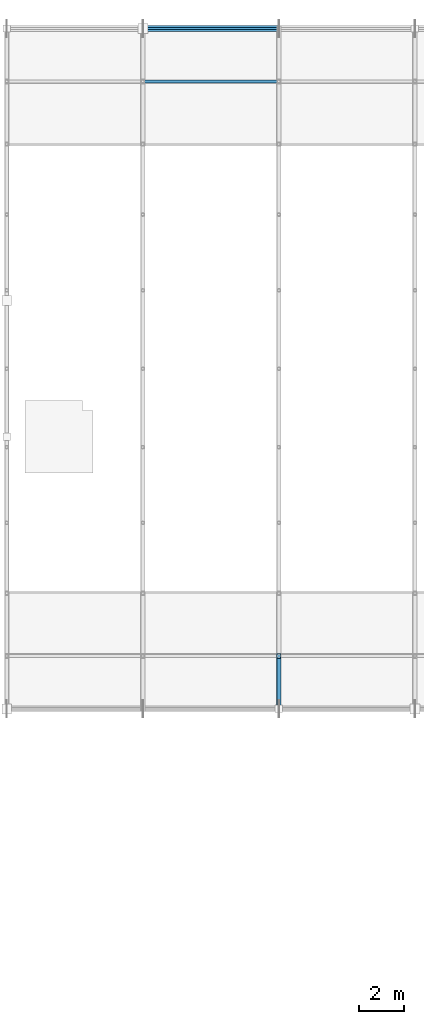
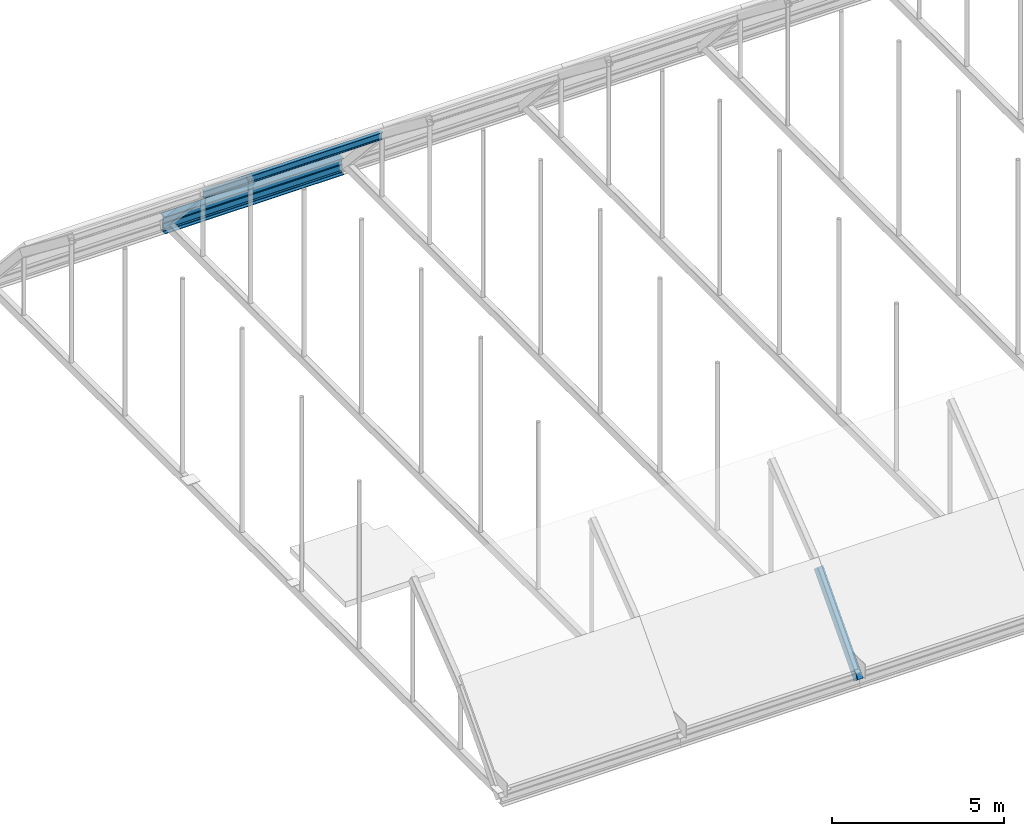
# One storey, part 23 of 63: 2 beams, 2 members.
"""IFC4 building model written with IfcOpenShell, lengths in metres."""

from ifc_helpers import new_model, si_unit, direction, frame, origin, origin_2d, place, context, subcontext, project, spatial, hollow_rectangle, i_section, extrude, material, material_profile, profile_set, type_object, element, save


model = new_model("IFC4")

# Units and contexts
model_context = context("Model", 3, precision=1e-05, world=origin(), true_north=direction((0.0, 1.0)))
body_context = subcontext(model_context, "Body", "Model", "MODEL_VIEW")
ifc_project = project(units=[si_unit("LENGTHUNIT", "METRE"), si_unit("AREAUNIT", "SQUARE_METRE"), si_unit("VOLUMEUNIT", "CUBIC_METRE"), si_unit("PLANEANGLEUNIT", "RADIAN"), si_unit("MASSUNIT", "GRAM", prefix="KILO")], contexts=[model_context])

# Site, building, storey
site_placement = place(None, origin())
site = spatial("IfcSite", under=ifc_project, at=site_placement, CompositionType="ELEMENT")
building_placement = place(site_placement, origin())
building = spatial("IfcBuilding", under=site, at=building_placement, Name="Varnakota Square Police Headquarters", CompositionType="ELEMENT")
storey_placement = place(building_placement, frame((0.0, 0.0, 22.199951171875)))
storey = spatial("IfcBuildingStorey", under=building, at=storey_placement, Name="L05", CompositionType="ELEMENT", Elevation=22.199951171875)

# Beams
ifc_material = material(Name="Steel IS 2062 Grade 350", Category="steel")
ifc_material_profile_1 = material_profile(ifc_material, i_section(OverallWidth=0.25, OverallDepth=0.60009765625, WebThickness=0.01171875, FlangeThickness=0.023681640625, FilletRadius=0.01708984375, at=origin_2d()), Name="ISWB 600")
ifc_profile_set_1 = profile_set([ifc_material_profile_1], Name="Steel IS 2062 Grade 350")
beam_type_1 = type_object("IfcBeamType", Name="BM-ISWB600", PredefinedType="BEAM", material=ifc_profile_set_1)
beam_1_placement = place(storey_placement, frame((66.0, 99.0, -0.300048828125), z_axis=(1.0, 0.0, 0.0), x_axis=(0.0, 1.0, 0.0)))
element("IfcBeam", 1, at=beam_1_placement, inside=storey, type_object=beam_type_1, Name="Vault V2 north ring beam", PredefinedType="BEAM", context=body_context, shape_type="SweptSolid", body=[
    extrude(i_section(OverallWidth=0.25, OverallDepth=0.60009765625, WebThickness=0.01171875, FlangeThickness=0.023681640625, FilletRadius=0.01708984375, at=origin_2d()), origin(), (0.0, 0.0, 1.0), 6.0),
])
ifc_material_profile_2 = material_profile(ifc_material, hollow_rectangle(XDim=0.199951171875, YDim=0.300048828125, WallThickness=0.011962890625, InnerFilletRadius=0.011962890625, OuterFilletRadius=0.02392578125, at=origin_2d()), Name="RHS 300x200x12")
ifc_profile_set_2 = profile_set([ifc_material_profile_2], Name="Steel IS 2062 Grade 350")
beam_type_2 = type_object("IfcBeamType", Name="BM-VR-RHS300", PredefinedType="BEAM", material=ifc_profile_set_2)
beam_2_placement = place(storey_placement, frame((72.0, 69.0, -0.366455078125), z_axis=(0.0, 0.671520631111, 0.740985858159), x_axis=(-1.0, 0.0, 0.0)))
element("IfcBeam", 2, at=beam_2_placement, inside=storey, type_object=beam_type_2, Name="Barrel vault arch rib chord VR-V2-R03-S01", PredefinedType="BEAM", context=body_context, shape_type="SweptSolid", body=[
    extrude(hollow_rectangle(XDim=0.199951171875, YDim=0.300048828125, WallThickness=0.011962890625, InnerFilletRadius=0.011962890625, OuterFilletRadius=0.02392578125, at=origin_2d()), origin(), (0.0, 0.0, 1.0), 3.472412109375),
])

# Members
ifc_material_profile_3 = material_profile(ifc_material, i_section(OverallWidth=0.125, OverallDepth=0.25, WebThickness=0.0068359375, FlangeThickness=0.012451171875, FilletRadius=0.012939453125, at=origin_2d()), Name="ISMB 250")
ifc_profile_set_3 = profile_set([ifc_material_profile_3], Name="Steel IS 2062 Grade 350")
member_type_1 = type_object("IfcMemberType", Name="MEM-PUR-ISMB250", PredefinedType="PURLIN", material=ifc_profile_set_3)
member_1_placement = place(storey_placement, frame((66.0, 96.668212890625, 2.156494140625), z_axis=(1.0, 0.0, 0.0), x_axis=(0.0, 1.0, 0.0)))
element("IfcMember", 3, at=member_1_placement, inside=storey, type_object=member_type_1, Name="Vault roof purlin V2-B02-N09", PredefinedType="PURLIN", context=body_context, shape_type="SweptSolid", body=[
    extrude(i_section(OverallWidth=0.125, OverallDepth=0.25, WebThickness=0.0068359375, FlangeThickness=0.012451171875, FilletRadius=0.012939453125, at=origin_2d()), origin(), (0.0, 0.0, 1.0), 6.0),
])
ifc_material_profile_4 = material_profile(ifc_material, hollow_rectangle(XDim=0.10009765625, YDim=0.199951171875, WallThickness=0.008056640625, InnerFilletRadius=0.008056640625, OuterFilletRadius=0.01611328125, at=origin_2d()), Name="RHS 200x100x8")
ifc_profile_set_4 = profile_set([ifc_material_profile_4], Name="Steel IS 2062 Grade 350")
member_type_2 = type_object("IfcMemberType", Name="MEM-PUR-RHS200", PredefinedType="PURLIN", material=ifc_profile_set_4)
member_2_placement = place(storey_placement, frame((66.0, 99.0, -0.377685546875), z_axis=(1.0, 0.0, 0.0), x_axis=(0.0, 1.0, 0.0)))
element("IfcMember", 4, at=member_2_placement, inside=storey, type_object=member_type_2, Name="Vault roof purlin V2-B02-N10", PredefinedType="PURLIN", context=body_context, shape_type="SweptSolid", body=[
    extrude(hollow_rectangle(XDim=0.10009765625, YDim=0.199951171875, WallThickness=0.008056640625, InnerFilletRadius=0.008056640625, OuterFilletRadius=0.01611328125, at=origin_2d()), origin(), (0.0, 0.0, 1.0), 6.0),
])

save(model, "model.ifc")
